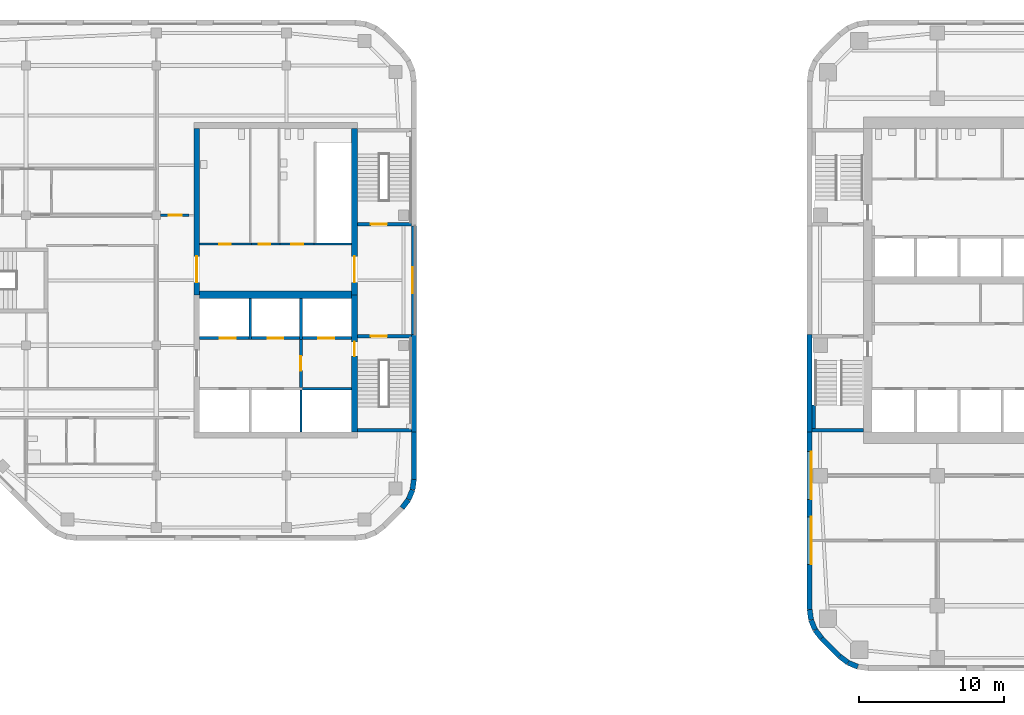
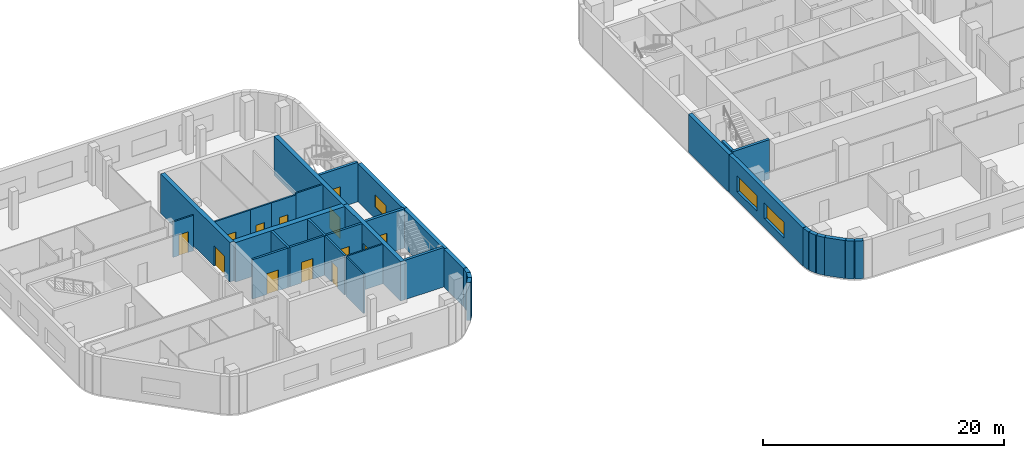
# One storey, part 6 of 14: 36 walls, 13 doors, 3 windows, 16 openings.
"""IFC4 building model written with IfcOpenShell, lengths in metres."""

from ifc_helpers import new_model, si_unit, direction, frame, frame_2d, origin, place, context, subcontext, project, spatial, rectangle, extrude, material, layer, layer_set, type_object, element, fill, save


model = new_model("IFC4")

# Units and contexts
model_context = context("Model", 3, precision=1e-05, world=origin(), true_north=direction((0.0, 1.0)))
body_context = subcontext(model_context, "Body", "Model", "MODEL_VIEW")
ifc_project = project(units=[si_unit("LENGTHUNIT", "METRE"), si_unit("AREAUNIT", "SQUARE_METRE"), si_unit("VOLUMEUNIT", "CUBIC_METRE"), si_unit("PLANEANGLEUNIT", "RADIAN"), si_unit("MASSUNIT", "GRAM", prefix="KILO")], contexts=[model_context])

# Site, building, storey
site_placement = place(None, origin())
site = spatial("IfcSite", under=ifc_project, at=site_placement, CompositionType="ELEMENT")
building_placement = place(site_placement, origin())
building = spatial("IfcBuilding", under=site, at=building_placement, Name="Cinnabar Reach Civic Tower", CompositionType="ELEMENT")
storey_placement = place(building_placement, frame((0.0, 0.0, 104.0)))
storey = spatial("IfcBuildingStorey", under=building, at=storey_placement, Name="L24", CompositionType="ELEMENT", Elevation=104.0)

# Walls
ifc_material_1 = material(Name="Facing brick with insulated backing", Category="masonry")
ifc_layer_1 = layer(ifc_material_1, 0.36)
ifc_layer_set_1 = layer_set([ifc_layer_1], Name="Brick corner wall")
wall_type_1 = type_object("IfcWallType", Name="Brick corner wall", PredefinedType="STANDARD", material=ifc_layer_set_1)
for number, where, z_axis, x_axis, name in (
    (1, (0.183, 8.7314, 0.0), (0.0, 0.0, 1.0), (0.13055608231, -0.99144092581, 0.0), "Brick corner wall"),
    (2, (0.2819, 8.0027, 0.0), (0.0, 0.0, 1.0), (0.382702709855, -0.923871547278, 0.0), "Brick corner wall"),
):
    element("IfcWall", number, at=place(storey_placement, frame(where, z_axis=z_axis, x_axis=x_axis)), inside=storey, type_object=wall_type_1, Name=name, PredefinedType="STANDARD", context=body_context, shape_type="SweptSolid", body=[
        extrude(rectangle(XDim=0.7131, YDim=0.36, at=frame_2d((0.3565, 0.0))), origin(), (0.0, 0.0, 1.0), 3.85),
    ])
for number, where, z_axis, x_axis, name in (
    (3, (0.566, 7.3245, 0.0), (0.0, 0.0, 1.0), (0.608802368033, -0.793321924995, 0.0), "Brick corner wall"),
    (4, (2.2587, 5.5002, 0.0), (0.0, 0.0, 1.0), (0.793321924995, -0.608802368033, 0.0), "Brick corner wall"),
):
    element("IfcWall", number, at=place(storey_placement, frame(where, z_axis=z_axis, x_axis=x_axis)), inside=storey, type_object=wall_type_1, Name=name, PredefinedType="STANDARD", context=body_context, shape_type="SweptSolid", body=[
        extrude(rectangle(XDim=0.7132, YDim=0.36, at=frame_2d((0.3566, 0.0))), origin(), (0.0, 0.0, 1.0), 3.85),
    ])
wall_1_placement = place(storey_placement, frame((2.8439, 5.0548, 0.0), z_axis=(0.0, 0.0, 1.0), x_axis=(0.923871547278, -0.382702709855, 0.0)))
element("IfcWall", 5, at=wall_1_placement, inside=storey, type_object=wall_type_1, Name="Brick corner wall", PredefinedType="STANDARD", context=body_context, shape_type="SweptSolid", body=[
    extrude(rectangle(XDim=0.7131, YDim=0.36, at=frame_2d((0.3565, 0.0))), origin(), (0.0, 0.0, 1.0), 3.85),
])
wall_2_placement = place(storey_placement, frame((-28.0002, 15.7587, 0.0), z_axis=(0.0, 0.0, 1.0), x_axis=(0.608802368033, 0.793321924995, 0.0)))
element("IfcWall", 6, at=wall_2_placement, inside=storey, type_object=wall_type_1, Name="Brick corner wall", PredefinedType="STANDARD", context=body_context, shape_type="SweptSolid", body=[
    extrude(rectangle(XDim=0.7132, YDim=0.36, at=frame_2d((0.3566, 0.0))), origin(), (0.0, 0.0, 1.0), 3.85),
])
for number, where, z_axis, x_axis, name in (
    (7, (-27.5548, 16.3439, 0.0), (0.0, 0.0, 1.0), (0.382702709855, 0.923871547278, 0.0), "Brick corner wall"),
    (8, (-27.2761, 17.0244, 0.0), (0.0, 0.0, 1.0), (0.13055608231, 0.99144092581, 0.0), "Brick corner wall"),
):
    element("IfcWall", number, at=place(storey_placement, frame(where, z_axis=z_axis, x_axis=x_axis)), inside=storey, type_object=wall_type_1, Name=name, PredefinedType="STANDARD", context=body_context, shape_type="SweptSolid", body=[
        extrude(rectangle(XDim=0.7131, YDim=0.36, at=frame_2d((0.3565, 0.0))), origin(), (0.0, 0.0, 1.0), 3.85),
    ])
ifc_layer_2 = layer(ifc_material_1, 0.36)
ifc_layer_set_2 = layer_set([ifc_layer_2], Name="Brick pier and spandrel wall")
wall_type_2 = type_object("IfcWallType", Name="Brick pier and spandrel wall", PredefinedType="STANDARD", material=ifc_layer_set_2)
wall_3_placement = place(storey_placement, frame((0.18, 27.75, 0.0), z_axis=(0.0, 0.0, 1.0), x_axis=(0.0, -1.0, 0.0)))
element("IfcWall", 9, at=wall_3_placement, inside=storey, type_object=wall_type_2, Name="Brick facade wall", PredefinedType="STANDARD", context=body_context, shape_type="SweptSolid", body=[
    extrude(rectangle(XDim=6.75, YDim=0.36, at=frame_2d((3.375, 0.0))), origin(), (0.0, 0.0, 1.0), 3.85),
])

# Wall, openings, windows
wall_4_placement = place(storey_placement, frame((0.18, 21.0, 0.0), z_axis=(0.0, 0.0, 1.0), x_axis=(0.0, -1.0, 0.0)))
wall_4 = element("IfcWall", 10, at=wall_4_placement, inside=storey, type_object=wall_type_2, Name="Brick facade wall", PredefinedType="STANDARD", context=body_context, shape_type="SweptSolid", body=[
    extrude(rectangle(XDim=12.2574, YDim=0.36, at=frame_2d((6.1287, 0.0))), origin(), (0.0, 0.0, 1.0), 3.85),
])
opening_1_placement = place(wall_4_placement, frame((1.35, 0.0, 0.9)))
opening_1 = element("IfcOpeningElement", 11, at=opening_1_placement, cuts=wall_4, Name="Opening W1521", PredefinedType="OPENING", context=body_context, shape_type="SweptSolid", body=[
    extrude(rectangle(XDim=3.3, YDim=1.6, at=frame_2d((1.65, 0.8))), frame((0.0, 0.19, 0.0), z_axis=(0.0, -1.0, 0.0), x_axis=(1.0, 0.0, 0.0)), (0.0, 0.0, 1.0), 0.38),
])
opening_2_placement = place(wall_4_placement, frame((5.85, 0.0, 0.9)))
opening_2 = element("IfcOpeningElement", 12, at=opening_2_placement, cuts=wall_4, Name="Opening W1522", PredefinedType="OPENING", context=body_context, shape_type="SweptSolid", body=[
    extrude(rectangle(XDim=3.3, YDim=1.6, at=frame_2d((1.65, 0.8))), frame((0.0, 0.19, 0.0), z_axis=(0.0, -1.0, 0.0), x_axis=(1.0, 0.0, 0.0)), (0.0, 0.0, 1.0), 0.38),
])
ifc_material_2 = material(Name="Clear double glazing in aluminium frame", Category="aluminium")
window_type_1 = type_object("IfcWindowType", Name="Deep-set window A", PartitioningType="SINGLE_PANEL", PredefinedType="WINDOW", material=ifc_material_2)
window_1_placement = place(opening_1_placement, origin())
window_1 = element("IfcWindow", 13, at=window_1_placement, inside=storey, type_object=window_type_1, Name="Window west face", OverallHeight=1.6, OverallWidth=3.3, PartitioningType="SINGLE_PANEL", PredefinedType="WINDOW", context=body_context, shape_type="SweptSolid", body=[
    extrude(rectangle(XDim=3.3, YDim=1.6, at=frame_2d((1.65, 0.8))), frame((0.0, 0.13, 0.0), z_axis=(0.0, -1.0, 0.0), x_axis=(1.0, 0.0, 0.0)), (0.0, 0.0, 1.0), 0.06),
])
fill(opening_1, window_1)
window_2_placement = place(opening_2_placement, origin())
window_2 = element("IfcWindow", 14, at=window_2_placement, inside=storey, type_object=window_type_1, Name="Window west face", OverallHeight=1.6, OverallWidth=3.3, PartitioningType="SINGLE_PANEL", PredefinedType="WINDOW", context=body_context, shape_type="SweptSolid", body=[
    extrude(rectangle(XDim=3.3, YDim=1.6, at=frame_2d((1.65, 0.8))), frame((0.0, 0.13, 0.0), z_axis=(0.0, -1.0, 0.0), x_axis=(1.0, 0.0, 0.0)), (0.0, 0.0, 1.0), 0.06),
])
fill(opening_2, window_2)

# Walls
wall_5_placement = place(storey_placement, frame((1.006, 6.7486, 0.0), z_axis=(0.0, 0.0, 1.0), x_axis=(0.707106781187, -0.707106781187, 0.0)))
element("IfcWall", 15, at=wall_5_placement, inside=storey, type_object=wall_type_2, Name="Brick facade wall", PredefinedType="STANDARD", context=body_context, shape_type="SweptSolid", body=[
    extrude(rectangle(XDim=1.7573, YDim=0.36, at=frame_2d((0.8787, 0.0))), origin(), (0.0, 0.0, 1.0), 3.85),
])
wall_6_placement = place(storey_placement, frame((-27.18, 17.7426, 0.0), z_axis=(0.0, 0.0, 1.0), x_axis=(0.0, 1.0, 0.0)))
element("IfcWall", 16, at=wall_6_placement, inside=storey, type_object=wall_type_2, Name="Brick facade wall", PredefinedType="STANDARD", context=body_context, shape_type="SweptSolid", body=[
    extrude(rectangle(XDim=3.2574, YDim=0.36, at=frame_2d((1.6287, 0.0))), origin(), (0.0, 0.0, 1.0), 3.85),
])
wall_7_placement = place(storey_placement, frame((-27.18, 21.0, 0.0), z_axis=(0.0, 0.0, 1.0), x_axis=(0.0, 1.0, 0.0)))
element("IfcWall", 17, at=wall_7_placement, inside=storey, type_object=wall_type_2, Name="Brick facade wall", PredefinedType="STANDARD", context=body_context, shape_type="SweptSolid", body=[
    extrude(rectangle(XDim=6.75, YDim=0.36, at=frame_2d((3.375, 0.0))), origin(), (0.0, 0.0, 1.0), 3.85),
])

# Wall, opening, window
wall_8_placement = place(storey_placement, frame((-27.18, 27.75, 0.0), z_axis=(0.0, 0.0, 1.0), x_axis=(0.0, 1.0, 0.0)))
wall_8 = element("IfcWall", 18, at=wall_8_placement, inside=storey, type_object=wall_type_2, Name="Brick facade wall", PredefinedType="STANDARD", context=body_context, shape_type="SweptSolid", body=[
    extrude(rectangle(XDim=7.5, YDim=0.36, at=frame_2d((3.75, 0.0))), origin(), (0.0, 0.0, 1.0), 3.85),
])
opening_3_placement = place(wall_8_placement, frame((2.85, 0.0, 1.2)))
opening_3 = element("IfcOpeningElement", 19, at=opening_3_placement, cuts=wall_8, Name="Opening W2684", PredefinedType="OPENING", context=body_context, shape_type="SweptSolid", body=[
    extrude(rectangle(XDim=1.8, YDim=1.2, at=frame_2d((0.9, 0.6))), frame((0.0, 0.19, 0.0), z_axis=(0.0, -1.0, 0.0), x_axis=(1.0, 0.0, 0.0)), (0.0, 0.0, 1.0), 0.38),
])
window_type_2 = type_object("IfcWindowType", Name="Deep-set window C", PartitioningType="SINGLE_PANEL", PredefinedType="WINDOW", material=ifc_material_2)
window_3_placement = place(opening_3_placement, origin())
window_3 = element("IfcWindow", 20, at=window_3_placement, inside=storey, type_object=window_type_2, Name="Window east face", OverallHeight=1.2, OverallWidth=1.8, PartitioningType="SINGLE_PANEL", PredefinedType="WINDOW", context=body_context, shape_type="SweptSolid", body=[
    extrude(rectangle(XDim=1.8, YDim=1.2, at=frame_2d((0.9, 0.6))), frame((0.0, 0.13, 0.0), z_axis=(0.0, -1.0, 0.0), x_axis=(1.0, 0.0, 0.0)), (0.0, 0.0, 1.0), 0.06),
])
fill(opening_3, window_3)

# Wall, opening, door
ifc_material_3 = material(Name="Concrete C60", Category="concrete")
ifc_layer_3 = layer(ifc_material_3, 0.4)
ifc_layer_set_3 = layer_set([ifc_layer_3], Name="Core wall 400 EI 180")
wall_type_3 = type_object("IfcWallType", Name="Core wall 400 EI 180", PredefinedType="SOLIDWALL", material=ifc_layer_set_3)
wall_9_placement = place(storey_placement, frame((-31.3, 21.0, 0.0), z_axis=(0.0, 0.0, 1.0), x_axis=(0.0, 1.0, 0.0)))
wall_9 = element("IfcWall", 21, at=wall_9_placement, inside=storey, type_object=wall_type_3, Name="Core wall T2 L24 E", PredefinedType="SOLIDWALL", context=body_context, shape_type="SweptSolid", body=[
    extrude(rectangle(XDim=9.5, YDim=0.4, at=frame_2d((4.75, 0.0))), origin(), (0.0, 0.0, 1.0), 4.0),
])
opening_4_placement = place(wall_9_placement, frame((5.25, 0.0, 0.0)))
opening_4 = element("IfcOpeningElement", 22, at=opening_4_placement, cuts=wall_9, Name="Opening D6885", PredefinedType="OPENING", context=body_context, shape_type="SweptSolid", body=[
    extrude(rectangle(XDim=1.0, YDim=2.1, at=frame_2d((0.5, 1.05))), frame((0.0, 0.21, 0.0), z_axis=(0.0, -1.0, 0.0), x_axis=(1.0, 0.0, 0.0)), (0.0, 0.0, 1.0), 0.42),
])
ifc_material_4 = material(Name="Steel fire door", Category="steel")
door_type_1 = type_object("IfcDoorType", Name="T2 Firefighting lobby door 1000", OperationType="SINGLE_SWING_LEFT", PredefinedType="DOOR", material=ifc_material_4)
door_1_placement = place(opening_4_placement, frame((1.0, 0.0, 0.0), z_axis=(0.0, 0.0, 1.0), x_axis=(-1.0, 0.0, 0.0)))
door_1 = element("IfcDoor", 23, at=door_1_placement, inside=storey, type_object=door_type_1, Name="T2 Firefighting lobby door D6885", OperationType="SINGLE_SWING_LEFT", OverallHeight=2.1, OverallWidth=1.0, PredefinedType="DOOR", context=body_context, shape_type="SweptSolid", body=[
    extrude(rectangle(XDim=1.0, YDim=2.1, at=frame_2d((0.5, 1.05))), frame((0.0, 0.025, 0.0), z_axis=(0.0, -1.0, 0.0), x_axis=(1.0, 0.0, 0.0)), (0.0, 0.0, 1.0), 0.05),
])
fill(opening_4, door_1)

wall_10_placement = place(storey_placement, frame((-31.3, 30.5, 0.0), z_axis=(0.0, 0.0, 1.0), x_axis=(0.0, 1.0, 0.0)))
wall_10 = element("IfcWall", 24, at=wall_10_placement, inside=storey, type_object=wall_type_3, Name="Core wall T2 L24 E2", PredefinedType="SOLIDWALL", context=body_context, shape_type="SweptSolid", body=[
    extrude(rectangle(XDim=11.5, YDim=0.4, at=frame_2d((5.75, 0.0))), origin(), (0.0, 0.0, 1.0), 4.0),
])
opening_5_placement = place(wall_10_placement, frame((0.85, 0.0, 0.0)))
opening_5 = element("IfcOpeningElement", 25, at=opening_5_placement, cuts=wall_10, Name="Opening D6888", PredefinedType="OPENING", context=body_context, shape_type="SweptSolid", body=[
    extrude(rectangle(XDim=1.8, YDim=2.1, at=frame_2d((0.9, 1.05))), frame((0.0, 0.21, 0.0), z_axis=(0.0, -1.0, 0.0), x_axis=(1.0, 0.0, 0.0)), (0.0, 0.0, 1.0), 0.42),
])
door_type_2 = type_object("IfcDoorType", Name="T2 Double door 1800", OperationType="DOUBLE_DOOR_SINGLE_SWING", PredefinedType="DOOR", material=ifc_material_4)
door_2_placement = place(opening_5_placement, origin())
door_2 = element("IfcDoor", 26, at=door_2_placement, inside=storey, type_object=door_type_2, Name="T2 Double door D6888", OperationType="DOUBLE_DOOR_SINGLE_SWING", OverallHeight=2.1, OverallWidth=1.8, PredefinedType="DOOR", context=body_context, shape_type="SweptSolid", body=[
    extrude(rectangle(XDim=1.8, YDim=2.1, at=frame_2d((0.9, 1.05))), frame((0.0, 0.025, 0.0), z_axis=(0.0, -1.0, 0.0), x_axis=(1.0, 0.0, 0.0)), (0.0, 0.0, 1.0), 0.05),
])
fill(opening_5, door_2)

wall_11_placement = place(storey_placement, frame((-42.2, 42.0, 0.0), z_axis=(0.0, 0.0, 1.0), x_axis=(0.0, -1.0, 0.0)))
wall_11 = element("IfcWall", 27, at=wall_11_placement, inside=storey, type_object=wall_type_3, Name="Core wall T2 L24 W", PredefinedType="SOLIDWALL", context=body_context, shape_type="SweptSolid", body=[
    extrude(rectangle(XDim=11.5, YDim=0.4, at=frame_2d((5.75, 0.0))), origin(), (0.0, 0.0, 1.0), 4.0),
])
opening_6_placement = place(wall_11_placement, frame((8.85, 0.0, 0.0)))
opening_6 = element("IfcOpeningElement", 28, at=opening_6_placement, cuts=wall_11, Name="Opening D6890", PredefinedType="OPENING", context=body_context, shape_type="SweptSolid", body=[
    extrude(rectangle(XDim=1.8, YDim=2.1, at=frame_2d((0.9, 1.05))), frame((0.0, 0.21, 0.0), z_axis=(0.0, -1.0, 0.0), x_axis=(1.0, 0.0, 0.0)), (0.0, 0.0, 1.0), 0.42),
])
door_3_placement = place(opening_6_placement, frame((1.8, 0.0, 0.0), z_axis=(0.0, 0.0, 1.0), x_axis=(-1.0, 0.0, 0.0)))
door_3 = element("IfcDoor", 29, at=door_3_placement, inside=storey, type_object=door_type_2, Name="T2 Double door D6890", OperationType="DOUBLE_DOOR_SINGLE_SWING", OverallHeight=2.1, OverallWidth=1.8, PredefinedType="DOOR", context=body_context, shape_type="SweptSolid", body=[
    extrude(rectangle(XDim=1.8, YDim=2.1, at=frame_2d((0.9, 1.05))), frame((0.0, 0.025, 0.0), z_axis=(0.0, -1.0, 0.0), x_axis=(1.0, 0.0, 0.0)), (0.0, 0.0, 1.0), 0.05),
])
fill(opening_6, door_3)

# Wall
ifc_layer_4 = layer(ifc_material_3, 0.5)
ifc_layer_set_4 = layer_set([ifc_layer_4], Name="Core wall 500 EI 180")
wall_type_4 = type_object("IfcWallType", Name="Core wall 500 EI 180", PredefinedType="SOLIDWALL", material=ifc_layer_set_4)
wall_12_placement = place(storey_placement, frame((-42.0, 30.5, 0.0), z_axis=(0.0, 0.0, 1.0), x_axis=(1.0, 0.0, 0.0)))
element("IfcWall", 30, at=wall_12_placement, inside=storey, type_object=wall_type_4, Name="Core spine wall T2 L24", PredefinedType="SOLIDWALL", context=body_context, shape_type="SweptSolid", body=[
    extrude(rectangle(XDim=10.5, YDim=0.5, at=frame_2d((5.25, 0.0))), origin(), (0.0, 0.0, 1.0), 4.0),
])

# Wall, opening, door
ifc_material_5 = material(Name="Gypsum board on steel studs, double layer", Category="steel")
ifc_layer_5 = layer(ifc_material_5, 0.15)
ifc_layer_set_5 = layer_set([ifc_layer_5], Name="Corridor wall 150 T2")
wall_type_5 = type_object("IfcWallType", Name="Corridor wall 150 T2", PredefinedType="PARTITIONING", material=ifc_layer_set_5)
wall_13_placement = place(storey_placement, frame((-44.7, 36.0, 0.0), z_axis=(0.0, 0.0, 1.0), x_axis=(1.0, 0.0, 0.0)))
wall_13 = element("IfcWall", 31, at=wall_13_placement, inside=storey, type_object=wall_type_5, Name="Corridor wall 1", PredefinedType="PARTITIONING", context=body_context, shape_type="SweptSolid", body=[
    extrude(rectangle(XDim=1.975, YDim=0.15, at=frame_2d((0.9875, 0.0))), origin(), (0.0, 0.0, 1.0), 3.602),
])
opening_7_placement = place(wall_13_placement, frame((0.55, 0.0, 0.0)))
opening_7 = element("IfcOpeningElement", 32, at=opening_7_placement, cuts=wall_13, Name="Opening D6894", PredefinedType="OPENING", context=body_context, shape_type="SweptSolid", body=[
    extrude(rectangle(XDim=0.9, YDim=2.1, at=frame_2d((0.45, 1.05))), frame((0.0, 0.085, 0.0), z_axis=(0.0, -1.0, 0.0), x_axis=(1.0, 0.0, 0.0)), (0.0, 0.0, 1.0), 0.17),
])
ifc_material_6 = material(Name="Timber door leaf in steel frame", Category="steel")
door_type_3 = type_object("IfcDoorType", Name="Single swing door 900 x 2100 T2", OperationType="SINGLE_SWING_LEFT", PredefinedType="DOOR", material=ifc_material_6)
door_4_placement = place(opening_7_placement, origin())
door_4 = element("IfcDoor", 33, at=door_4_placement, inside=storey, type_object=door_type_3, Name="Door D6894", OperationType="SINGLE_SWING_RIGHT", OverallHeight=2.1, OverallWidth=0.9, PredefinedType="DOOR", context=body_context, shape_type="SweptSolid", body=[
    extrude(rectangle(XDim=0.9, YDim=2.1, at=frame_2d((0.45, 1.05))), frame((0.0, 0.025, 0.0), z_axis=(0.0, -1.0, 0.0), x_axis=(1.0, 0.0, 0.0)), (0.0, 0.0, 1.0), 0.05),
])
fill(opening_7, door_4)

# Walls
ifc_layer_6 = layer(ifc_material_3, 0.25)
ifc_layer_set_6 = layer_set([ifc_layer_6], Name="Stair shaft wall 250 EI 120")
wall_type_6 = type_object("IfcWallType", Name="Stair shaft wall 250 EI 120", PredefinedType="SOLIDWALL", material=ifc_layer_set_6)
wall_14_placement = place(storey_placement, frame((0.36, 21.125, 0.0), z_axis=(0.0, 0.0, 1.0), x_axis=(1.0, 0.0, 0.0)))
element("IfcWall", 34, at=wall_14_placement, inside=storey, type_object=wall_type_6, Name="Stair shaft wall T1-S1 L24", PredefinedType="SOLIDWALL", context=body_context, shape_type="SweptSolid", body=[
    extrude(rectangle(XDim=3.54, YDim=0.25, at=frame_2d((1.77, 0.0))), origin(), (0.0, 0.0, 1.0), 4.0),
])
wall_15_placement = place(storey_placement, frame((-31.1, 21.125, 0.0), z_axis=(0.0, 0.0, 1.0), x_axis=(1.0, 0.0, 0.0)))
element("IfcWall", 35, at=wall_15_placement, inside=storey, type_object=wall_type_6, Name="Stair shaft wall T2-S1 L24", PredefinedType="SOLIDWALL", context=body_context, shape_type="SweptSolid", body=[
    extrude(rectangle(XDim=3.74, YDim=0.25, at=frame_2d((1.87, 0.0))), origin(), (0.0, 0.0, 1.0), 4.0),
])

# Wall, opening, door
wall_16_placement = place(storey_placement, frame((-27.36, 27.625, 0.0), z_axis=(0.0, 0.0, 1.0), x_axis=(-1.0, 0.0, 0.0)))
wall_16 = element("IfcWall", 36, at=wall_16_placement, inside=storey, type_object=wall_type_6, Name="Stair shaft wall T2-S1 L24", PredefinedType="SOLIDWALL", context=body_context, shape_type="SweptSolid", body=[
    extrude(rectangle(XDim=3.74, YDim=0.25, at=frame_2d((1.87, 0.0))), origin(), (0.0, 0.0, 1.0), 4.0),
])
opening_8_placement = place(wall_16_placement, frame((1.69, 0.0, 0.0)))
opening_8 = element("IfcOpeningElement", 37, at=opening_8_placement, cuts=wall_16, Name="Opening D6886", PredefinedType="OPENING", context=body_context, shape_type="SweptSolid", body=[
    extrude(rectangle(XDim=1.1, YDim=2.1, at=frame_2d((0.55, 1.05))), frame((0.0, 0.135, 0.0), z_axis=(0.0, -1.0, 0.0), x_axis=(1.0, 0.0, 0.0)), (0.0, 0.0, 1.0), 0.27),
])
door_type_4 = type_object("IfcDoorType", Name="T2 Stair door 1100", OperationType="SINGLE_SWING_LEFT", PredefinedType="DOOR", material=ifc_material_4)
door_5_placement = place(opening_8_placement, origin())
door_5 = element("IfcDoor", 38, at=door_5_placement, inside=storey, type_object=door_type_4, Name="T2 Stair door D6886", OperationType="SINGLE_SWING_LEFT", OverallHeight=2.1, OverallWidth=1.1, PredefinedType="DOOR", context=body_context, shape_type="SweptSolid", body=[
    extrude(rectangle(XDim=1.1, YDim=2.1, at=frame_2d((0.55, 1.05))), frame((0.0, 0.025, 0.0), z_axis=(0.0, -1.0, 0.0), x_axis=(1.0, 0.0, 0.0)), (0.0, 0.0, 1.0), 0.05),
])
fill(opening_8, door_5)

wall_17_placement = place(storey_placement, frame((-31.1, 35.375, 0.0), z_axis=(0.0, 0.0, 1.0), x_axis=(1.0, 0.0, 0.0)))
wall_17 = element("IfcWall", 39, at=wall_17_placement, inside=storey, type_object=wall_type_6, Name="Stair shaft wall T2-S2 L24", PredefinedType="SOLIDWALL", context=body_context, shape_type="SweptSolid", body=[
    extrude(rectangle(XDim=3.74, YDim=0.25, at=frame_2d((1.87, 0.0))), origin(), (0.0, 0.0, 1.0), 4.0),
])
opening_9_placement = place(wall_17_placement, frame((0.95, 0.0, 0.0)))
opening_9 = element("IfcOpeningElement", 40, at=opening_9_placement, cuts=wall_17, Name="Opening D6887", PredefinedType="OPENING", context=body_context, shape_type="SweptSolid", body=[
    extrude(rectangle(XDim=1.1, YDim=2.1, at=frame_2d((0.55, 1.05))), frame((0.0, 0.135, 0.0), z_axis=(0.0, -1.0, 0.0), x_axis=(1.0, 0.0, 0.0)), (0.0, 0.0, 1.0), 0.27),
])
door_6_placement = place(opening_9_placement, origin())
door_6 = element("IfcDoor", 41, at=door_6_placement, inside=storey, type_object=door_type_4, Name="T2 Stair door D6887", OperationType="SINGLE_SWING_RIGHT", OverallHeight=2.1, OverallWidth=1.1, PredefinedType="DOOR", context=body_context, shape_type="SweptSolid", body=[
    extrude(rectangle(XDim=1.1, YDim=2.1, at=frame_2d((0.55, 1.05))), frame((0.0, 0.025, 0.0), z_axis=(0.0, -1.0, 0.0), x_axis=(1.0, 0.0, 0.0)), (0.0, 0.0, 1.0), 0.05),
])
fill(opening_9, door_6)

# Wall
ifc_material_7 = material(Name="Concrete C40/50", Category="concrete")
ifc_layer_7 = layer(ifc_material_7, 0.24)
ifc_layer_set_7 = layer_set([ifc_layer_7], Name="T1 landing bearer wall 240")
wall_type_7 = type_object("IfcWallType", Name="T1 landing bearer wall 240", PredefinedType="STANDARD", material=ifc_layer_set_7)
wall_18_placement = place(storey_placement, frame((0.48, 21.25, 0.0), z_axis=(0.0, 0.0, 1.0), x_axis=(0.0, 1.0, 0.0)))
element("IfcWall", 42, at=wall_18_placement, inside=storey, type_object=wall_type_7, Name="T1-S1 landing bearer wall", PredefinedType="STANDARD", context=body_context, shape_type="SweptSolid", body=[
    extrude(rectangle(XDim=1.62, YDim=0.24, at=frame_2d((0.81, 0.0))), origin(), (0.0, 0.0, 1.0), 4.0),
])

# Wall, opening, door
ifc_material_8 = material(Name="Masonry block partition", Category="masonry")
ifc_layer_8 = layer(ifc_material_8, 0.15)
ifc_layer_set_8 = layer_set([ifc_layer_8], Name="T2 Corridor wall 150")
wall_type_8 = type_object("IfcWallType", Name="T2 Corridor wall 150", PredefinedType="PARTITIONING", material=ifc_layer_set_8)
wall_19_placement = place(storey_placement, frame((-38.425, 34.0, 0.0), z_axis=(0.0, 0.0, 1.0), x_axis=(-1.0, 0.0, 0.0)))
wall_19 = element("IfcWall", 43, at=wall_19_placement, inside=storey, type_object=wall_type_8, Name="T2 Corridor wall L24 014", PredefinedType="PARTITIONING", context=body_context, shape_type="SweptSolid", body=[
    extrude(rectangle(XDim=3.575, YDim=0.15, at=frame_2d((1.7875, 0.0))), origin(), (0.0, 0.0, 1.0), 3.85),
])
opening_10_placement = place(wall_19_placement, frame((1.425, 0.0, 0.0)))
opening_10 = element("IfcOpeningElement", 44, at=opening_10_placement, cuts=wall_19, Name="Opening D6891", PredefinedType="OPENING", context=body_context, shape_type="SweptSolid", body=[
    extrude(rectangle(XDim=0.8, YDim=2.1, at=frame_2d((0.4, 1.05))), frame((0.0, 0.085, 0.0), z_axis=(0.0, -1.0, 0.0), x_axis=(1.0, 0.0, 0.0)), (0.0, 0.0, 1.0), 0.17),
])
ifc_material_9 = material(Name="Timber door leaf", Category="wood")
door_type_5 = type_object("IfcDoorType", Name="T2 Bathroom door 800", OperationType="SINGLE_SWING_LEFT", PredefinedType="DOOR", material=ifc_material_9)
door_7_placement = place(opening_10_placement, frame((0.8, 0.0, 0.0), z_axis=(0.0, 0.0, 1.0), x_axis=(-1.0, 0.0, 0.0)))
door_7 = element("IfcDoor", 45, at=door_7_placement, inside=storey, type_object=door_type_5, Name="T2 Bathroom door D6891", OperationType="SINGLE_SWING_LEFT", OverallHeight=2.1, OverallWidth=0.8, PredefinedType="DOOR", context=body_context, shape_type="SweptSolid", body=[
    extrude(rectangle(XDim=0.8, YDim=2.1, at=frame_2d((0.4, 1.05))), frame((0.0, 0.025, 0.0), z_axis=(0.0, -1.0, 0.0), x_axis=(1.0, 0.0, 0.0)), (0.0, 0.0, 1.0), 0.05),
])
fill(opening_10, door_7)

wall_20_placement = place(storey_placement, frame((-36.425, 34.0, 0.0), z_axis=(0.0, 0.0, 1.0), x_axis=(-1.0, 0.0, 0.0)))
wall_20 = element("IfcWall", 46, at=wall_20_placement, inside=storey, type_object=wall_type_8, Name="T2 Corridor wall L24 015", PredefinedType="PARTITIONING", context=body_context, shape_type="SweptSolid", body=[
    extrude(rectangle(XDim=2.0, YDim=0.15, at=frame_2d((1.0, 0.0))), origin(), (0.0, 0.0, 1.0), 3.85),
])
opening_11_placement = place(wall_20_placement, frame((0.675, 0.0, 0.0)))
opening_11 = element("IfcOpeningElement", 47, at=opening_11_placement, cuts=wall_20, Name="Opening D6892", PredefinedType="OPENING", context=body_context, shape_type="SweptSolid", body=[
    extrude(rectangle(XDim=0.8, YDim=2.1, at=frame_2d((0.4, 1.05))), frame((0.0, 0.085, 0.0), z_axis=(0.0, -1.0, 0.0), x_axis=(1.0, 0.0, 0.0)), (0.0, 0.0, 1.0), 0.17),
])
door_8_placement = place(opening_11_placement, frame((0.8, 0.0, 0.0), z_axis=(0.0, 0.0, 1.0), x_axis=(-1.0, 0.0, 0.0)))
door_8 = element("IfcDoor", 48, at=door_8_placement, inside=storey, type_object=door_type_5, Name="T2 Bathroom door D6892", OperationType="SINGLE_SWING_LEFT", OverallHeight=2.1, OverallWidth=0.8, PredefinedType="DOOR", context=body_context, shape_type="SweptSolid", body=[
    extrude(rectangle(XDim=0.8, YDim=2.1, at=frame_2d((0.4, 1.05))), frame((0.0, 0.025, 0.0), z_axis=(0.0, -1.0, 0.0), x_axis=(1.0, 0.0, 0.0)), (0.0, 0.0, 1.0), 0.05),
])
fill(opening_11, door_8)

wall_21_placement = place(storey_placement, frame((-34.075, 34.0, 0.0), z_axis=(0.0, 0.0, 1.0), x_axis=(-1.0, 0.0, 0.0)))
wall_21 = element("IfcWall", 49, at=wall_21_placement, inside=storey, type_object=wall_type_8, Name="T2 Corridor wall L24 016", PredefinedType="PARTITIONING", context=body_context, shape_type="SweptSolid", body=[
    extrude(rectangle(XDim=2.35, YDim=0.15, at=frame_2d((1.175, 0.0))), origin(), (0.0, 0.0, 1.0), 3.85),
])
opening_12_placement = place(wall_21_placement, frame((0.775, 0.0, 0.0)))
opening_12 = element("IfcOpeningElement", 50, at=opening_12_placement, cuts=wall_21, Name="Opening D6893", PredefinedType="OPENING", context=body_context, shape_type="SweptSolid", body=[
    extrude(rectangle(XDim=0.8, YDim=2.1, at=frame_2d((0.4, 1.05))), frame((0.0, 0.085, 0.0), z_axis=(0.0, -1.0, 0.0), x_axis=(1.0, 0.0, 0.0)), (0.0, 0.0, 1.0), 0.17),
])
door_9_placement = place(opening_12_placement, frame((0.8, 0.0, 0.0), z_axis=(0.0, 0.0, 1.0), x_axis=(-1.0, 0.0, 0.0)))
door_9 = element("IfcDoor", 51, at=door_9_placement, inside=storey, type_object=door_type_5, Name="T2 Bathroom door D6893", OperationType="SINGLE_SWING_LEFT", OverallHeight=2.1, OverallWidth=0.8, PredefinedType="DOOR", context=body_context, shape_type="SweptSolid", body=[
    extrude(rectangle(XDim=0.8, YDim=2.1, at=frame_2d((0.4, 1.05))), frame((0.0, 0.025, 0.0), z_axis=(0.0, -1.0, 0.0), x_axis=(1.0, 0.0, 0.0)), (0.0, 0.0, 1.0), 0.05),
])
fill(opening_12, door_9)

# Walls
ifc_material_10 = material(Name="Concrete C40", Category="concrete")
ifc_layer_9 = layer(ifc_material_10, 0.15)
ifc_layer_set_9 = layer_set([ifc_layer_9], Name="T2 Riser wall 150")
wall_type_9 = type_object("IfcWallType", Name="T2 Riser wall 150", PredefinedType="SOLIDWALL", material=ifc_layer_set_9)
wall_22_placement = place(storey_placement, frame((-35.0, 21.0, 0.0), z_axis=(0.0, 0.0, 1.0), x_axis=(0.0, 1.0, 0.0)))
element("IfcWall", 52, at=wall_22_placement, inside=storey, type_object=wall_type_9, Name="T2 Riser wall L24 010", PredefinedType="SOLIDWALL", context=body_context, shape_type="SweptSolid", body=[
    extrude(rectangle(XDim=2.9, YDim=0.15, at=frame_2d((1.45, 0.0))), origin(), (0.0, 0.0, 1.0), 4.0),
])
wall_23_placement = place(storey_placement, frame((-31.5, 24.0, 0.0), z_axis=(0.0, 0.0, 1.0), x_axis=(-1.0, 0.0, 0.0)))
element("IfcWall", 53, at=wall_23_placement, inside=storey, type_object=wall_type_9, Name="T2 Riser wall L24 011", PredefinedType="SOLIDWALL", context=body_context, shape_type="SweptSolid", body=[
    extrude(rectangle(XDim=3.4, YDim=0.15, at=frame_2d((1.7, 0.0))), origin(), (0.0, 0.0, 1.0), 4.0),
])
wall_24_placement = place(storey_placement, frame((-34.075, 34.0, 0.0), z_axis=(0.0, 0.0, 1.0), x_axis=(1.0, 0.0, 0.0)))
element("IfcWall", 54, at=wall_24_placement, inside=storey, type_object=wall_type_9, Name="T2 Riser wall L24 012", PredefinedType="SOLIDWALL", context=body_context, shape_type="SweptSolid", body=[
    extrude(rectangle(XDim=2.575, YDim=0.15, at=frame_2d((1.2875, 0.0))), origin(), (0.0, 0.0, 1.0), 4.0),
])
ifc_layer_10 = layer(ifc_material_10, 0.2)
ifc_layer_set_10 = layer_set([ifc_layer_10], Name="T2 Shaft wall 200")
wall_type_10 = type_object("IfcWallType", Name="T2 Shaft wall 200", PredefinedType="SOLIDWALL", material=ifc_layer_set_10)
wall_25_placement = place(storey_placement, frame((-38.5, 27.4, 0.0), z_axis=(0.0, 0.0, 1.0), x_axis=(0.0, 1.0, 0.0)))
element("IfcWall", 55, at=wall_25_placement, inside=storey, type_object=wall_type_10, Name="T2 Shaft wall L24 004", PredefinedType="SOLIDWALL", context=body_context, shape_type="SweptSolid", body=[
    extrude(rectangle(XDim=2.85, YDim=0.2, at=frame_2d((1.425, 0.0))), origin(), (0.0, 0.0, 1.0), 4.0),
])

# Wall, opening, door
wall_26_placement = place(storey_placement, frame((-42.0, 27.5, 0.0), z_axis=(0.0, 0.0, 1.0), x_axis=(1.0, 0.0, 0.0)))
wall_26 = element("IfcWall", 56, at=wall_26_placement, inside=storey, type_object=wall_type_10, Name="T2 Shaft wall L24 005", PredefinedType="SOLIDWALL", context=body_context, shape_type="SweptSolid", body=[
    extrude(rectangle(XDim=3.4, YDim=0.2, at=frame_2d((1.7, 0.0))), origin(), (0.0, 0.0, 1.0), 4.0),
])
opening_13_placement = place(wall_26_placement, frame((1.4, 0.0, 0.0)))
opening_13 = element("IfcOpeningElement", 57, at=opening_13_placement, cuts=wall_26, Name="Opening D6881", PredefinedType="OPENING", context=body_context, shape_type="SweptSolid", body=[
    extrude(rectangle(XDim=1.1, YDim=2.1, at=frame_2d((0.55, 1.05))), frame((0.0, 0.11, 0.0), z_axis=(0.0, -1.0, 0.0), x_axis=(1.0, 0.0, 0.0)), (0.0, 0.0, 1.0), 0.22),
])
door_type_6 = type_object("IfcDoorType", Name="T2 Lift landing door 1100", OperationType="SLIDING_TO_LEFT", PredefinedType="DOOR", material=ifc_material_4)
door_10_placement = place(opening_13_placement, origin())
door_10 = element("IfcDoor", 58, at=door_10_placement, inside=storey, type_object=door_type_6, Name="T2 Lift landing door D6881", OperationType="SLIDING_TO_LEFT", OverallHeight=2.1, OverallWidth=1.1, PredefinedType="DOOR", context=body_context, shape_type="SweptSolid", body=[
    extrude(rectangle(XDim=1.1, YDim=2.1, at=frame_2d((0.55, 1.05))), frame((0.0, 0.025, 0.0), z_axis=(0.0, -1.0, 0.0), x_axis=(1.0, 0.0, 0.0)), (0.0, 0.0, 1.0), 0.05),
])
fill(opening_13, door_10)

# Wall
wall_27_placement = place(storey_placement, frame((-35.0, 27.4, 0.0), z_axis=(0.0, 0.0, 1.0), x_axis=(0.0, 1.0, 0.0)))
element("IfcWall", 59, at=wall_27_placement, inside=storey, type_object=wall_type_10, Name="T2 Shaft wall L24 006", PredefinedType="SOLIDWALL", context=body_context, shape_type="SweptSolid", body=[
    extrude(rectangle(XDim=2.85, YDim=0.2, at=frame_2d((1.425, 0.0))), origin(), (0.0, 0.0, 1.0), 4.0),
])

# Wall, opening, door
wall_28_placement = place(storey_placement, frame((-38.4, 27.5, 0.0), z_axis=(0.0, 0.0, 1.0), x_axis=(1.0, 0.0, 0.0)))
wall_28 = element("IfcWall", 60, at=wall_28_placement, inside=storey, type_object=wall_type_10, Name="T2 Shaft wall L24 007", PredefinedType="SOLIDWALL", context=body_context, shape_type="SweptSolid", body=[
    extrude(rectangle(XDim=3.3, YDim=0.2, at=frame_2d((1.65, 0.0))), origin(), (0.0, 0.0, 1.0), 4.0),
])
opening_14_placement = place(wall_28_placement, frame((1.1, 0.0, 0.0)))
opening_14 = element("IfcOpeningElement", 61, at=opening_14_placement, cuts=wall_28, Name="Opening D6882", PredefinedType="OPENING", context=body_context, shape_type="SweptSolid", body=[
    extrude(rectangle(XDim=1.1, YDim=2.1, at=frame_2d((0.55, 1.05))), frame((0.0, 0.11, 0.0), z_axis=(0.0, -1.0, 0.0), x_axis=(1.0, 0.0, 0.0)), (0.0, 0.0, 1.0), 0.22),
])
door_11_placement = place(opening_14_placement, origin())
door_11 = element("IfcDoor", 62, at=door_11_placement, inside=storey, type_object=door_type_6, Name="T2 Lift landing door D6882", OperationType="SLIDING_TO_LEFT", OverallHeight=2.1, OverallWidth=1.1, PredefinedType="DOOR", context=body_context, shape_type="SweptSolid", body=[
    extrude(rectangle(XDim=1.1, YDim=2.1, at=frame_2d((0.55, 1.05))), frame((0.0, 0.025, 0.0), z_axis=(0.0, -1.0, 0.0), x_axis=(1.0, 0.0, 0.0)), (0.0, 0.0, 1.0), 0.05),
])
fill(opening_14, door_11)

wall_29_placement = place(storey_placement, frame((-34.9, 27.5, 0.0), z_axis=(0.0, 0.0, 1.0), x_axis=(1.0, 0.0, 0.0)))
wall_29 = element("IfcWall", 63, at=wall_29_placement, inside=storey, type_object=wall_type_10, Name="T2 Shaft wall L24 008", PredefinedType="SOLIDWALL", context=body_context, shape_type="SweptSolid", body=[
    extrude(rectangle(XDim=3.4, YDim=0.2, at=frame_2d((1.7, 0.0))), origin(), (0.0, 0.0, 1.0), 4.0),
])
opening_15_placement = place(wall_29_placement, frame((1.1, 0.0, 0.0)))
opening_15 = element("IfcOpeningElement", 64, at=opening_15_placement, cuts=wall_29, Name="Opening D6883", PredefinedType="OPENING", context=body_context, shape_type="SweptSolid", body=[
    extrude(rectangle(XDim=1.1, YDim=2.1, at=frame_2d((0.55, 1.05))), frame((0.0, 0.11, 0.0), z_axis=(0.0, -1.0, 0.0), x_axis=(1.0, 0.0, 0.0)), (0.0, 0.0, 1.0), 0.22),
])
door_type_7 = type_object("IfcDoorType", Name="T2 Firefighting lift landing door 1100", OperationType="SLIDING_TO_LEFT", PredefinedType="DOOR", material=ifc_material_4)
door_12_placement = place(opening_15_placement, origin())
door_12 = element("IfcDoor", 65, at=door_12_placement, inside=storey, type_object=door_type_7, Name="T2 Firefighting lift landing door D6883", OperationType="SLIDING_TO_LEFT", OverallHeight=2.1, OverallWidth=1.1, PredefinedType="DOOR", context=body_context, shape_type="SweptSolid", body=[
    extrude(rectangle(XDim=1.1, YDim=2.1, at=frame_2d((0.55, 1.05))), frame((0.0, 0.025, 0.0), z_axis=(0.0, -1.0, 0.0), x_axis=(1.0, 0.0, 0.0)), (0.0, 0.0, 1.0), 0.05),
])
fill(opening_15, door_12)

wall_30_placement = place(storey_placement, frame((-35.0, 24.1, 0.0), z_axis=(0.0, 0.0, 1.0), x_axis=(0.0, 1.0, 0.0)))
wall_30 = element("IfcWall", 66, at=wall_30_placement, inside=storey, type_object=wall_type_10, Name="T2 Shaft wall L24 009", PredefinedType="SOLIDWALL", context=body_context, shape_type="SweptSolid", body=[
    extrude(rectangle(XDim=3.3, YDim=0.2, at=frame_2d((1.65, 0.0))), origin(), (0.0, 0.0, 1.0), 4.0),
])
opening_16_placement = place(wall_30_placement, frame((1.15, 0.0, 0.0)))
opening_16 = element("IfcOpeningElement", 67, at=opening_16_placement, cuts=wall_30, Name="Opening D6884", PredefinedType="OPENING", context=body_context, shape_type="SweptSolid", body=[
    extrude(rectangle(XDim=1.0, YDim=2.1, at=frame_2d((0.5, 1.05))), frame((0.0, 0.11, 0.0), z_axis=(0.0, -1.0, 0.0), x_axis=(1.0, 0.0, 0.0)), (0.0, 0.0, 1.0), 0.22),
])
door_13_placement = place(opening_16_placement, origin())
door_13 = element("IfcDoor", 68, at=door_13_placement, inside=storey, type_object=door_type_1, Name="T2 Firefighting lobby door D6884", OperationType="SINGLE_SWING_RIGHT", OverallHeight=2.1, OverallWidth=1.0, PredefinedType="DOOR", context=body_context, shape_type="SweptSolid", body=[
    extrude(rectangle(XDim=1.0, YDim=2.1, at=frame_2d((0.5, 1.05))), frame((0.0, 0.025, 0.0), z_axis=(0.0, -1.0, 0.0), x_axis=(1.0, 0.0, 0.0)), (0.0, 0.0, 1.0), 0.05),
])
fill(opening_16, door_13)

save(model, "model.ifc")
